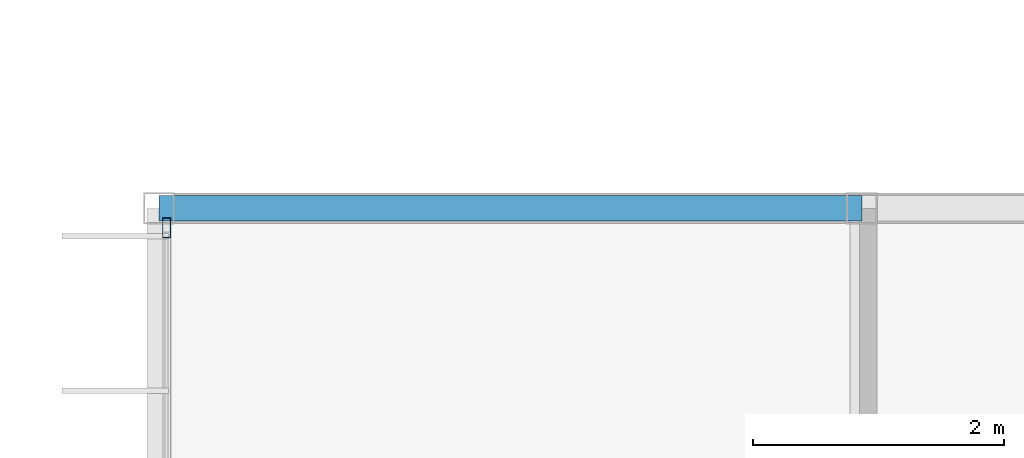
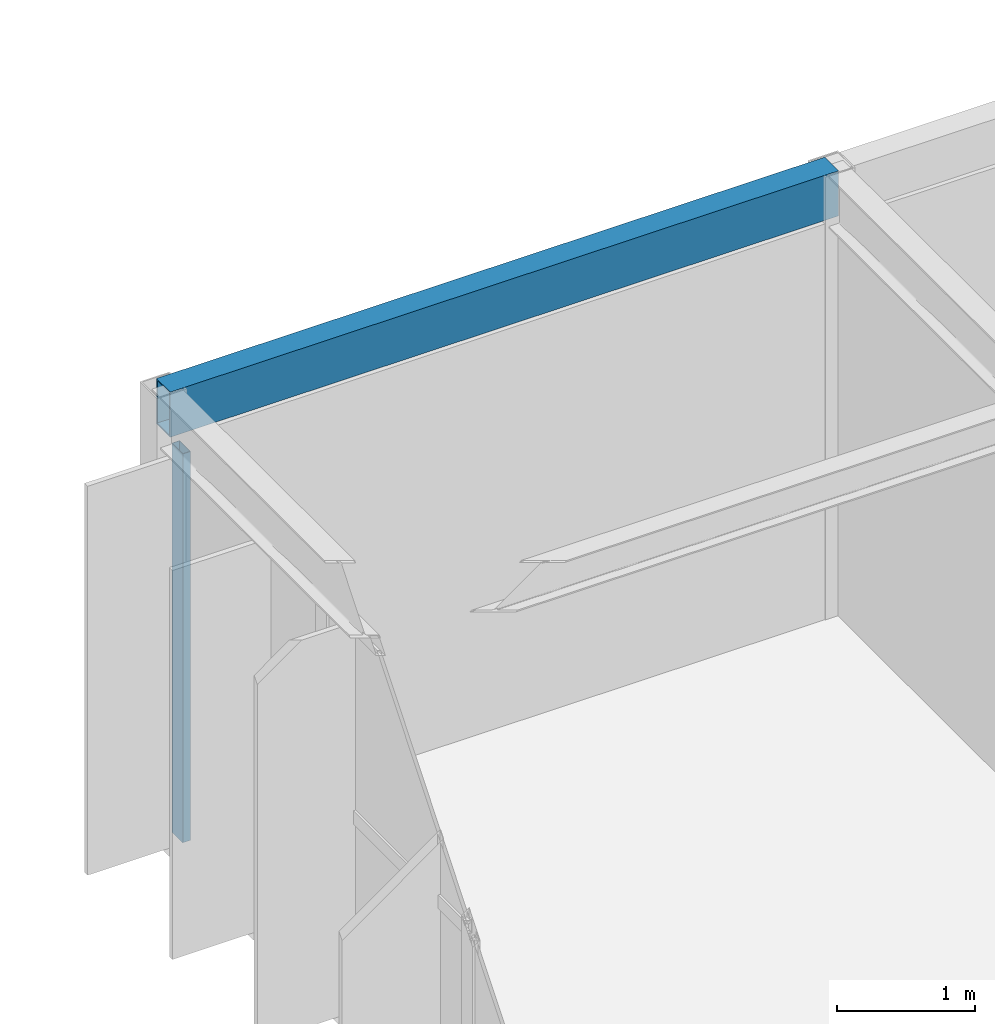
# One storey, part 80 of 157: 1 beam, 1 member, 1 element without a shape of its own.
"""IFC4 building model written with IfcOpenShell, lengths in metres."""

from ifc_helpers import new_model, si_unit, direction, frame, origin, origin_2d, place, context, subcontext, project, spatial, hollow_rectangle, extrude, material, material_profile, profile_set, type_object, element, aggregate, save


model = new_model("IFC4")

# Units and contexts
model_context = context("Model", 3, precision=1e-05, world=origin(), true_north=direction((0.0, 1.0)))
body_context = subcontext(model_context, "Body", "Model", "MODEL_VIEW")
ifc_project = project(units=[si_unit("LENGTHUNIT", "METRE"), si_unit("AREAUNIT", "SQUARE_METRE"), si_unit("VOLUMEUNIT", "CUBIC_METRE"), si_unit("PLANEANGLEUNIT", "RADIAN"), si_unit("MASSUNIT", "GRAM", prefix="KILO")], contexts=[model_context])

# Site, building, storey
site_placement = place(None, origin())
site = spatial("IfcSite", under=ifc_project, at=site_placement, CompositionType="ELEMENT")
building_placement = place(site_placement, origin())
building = spatial("IfcBuilding", under=site, at=building_placement, Name="Karori Crest Natural Sciences Institute", CompositionType="ELEMENT")
storey_placement = place(building_placement, frame((0.0, 0.0, 13.300048828125)))
storey = spatial("IfcBuildingStorey", under=building, at=storey_placement, Name="L03", CompositionType="ELEMENT", Elevation=13.300048828125)

# Beam
ifc_material_1 = material(Name="Hollow structural steel AS/NZS 1163 Grade C350", Category="steel")
ifc_material_profile_1 = material_profile(ifc_material_1, hollow_rectangle(XDim=0.199951171875, YDim=0.39990234375, WallThickness=0.012451171875, at=origin_2d()), Name="RHS400x200x12.5")
ifc_profile_set_1 = profile_set([ifc_material_profile_1], Name="Hollow structural steel AS/NZS 1163 Grade C350")
beam_type = type_object("IfcBeamType", Name="BT-14", PredefinedType="SPANDREL", material=ifc_profile_set_1)
beam_placement = place(storey_placement, frame((1.800048828125, 73.39990234375, 3.719970703125), z_axis=(1.0, 0.0, 0.0), x_axis=(0.0, 1.0, 0.0)))
element("IfcBeam", 1, at=beam_placement, inside=storey, type_object=beam_type, Name="Beam B-1158", PredefinedType="SPANDREL", context=body_context, shape_type="SweptSolid", body=[
    extrude(hollow_rectangle(XDim=0.199951171875, YDim=0.39990234375, WallThickness=0.012451171875, at=origin_2d()), origin(), (0.0, 0.0, 1.0), 5.599853515625),
])

# Curtain wall, member
ifc_material_2 = material(Name="Anodised architectural aluminium 6063-T6", Category="aluminium")
curtain_wall_type = type_object("IfcCurtainWallType", Name="CWT-17", PredefinedType="NOTDEFINED", material=ifc_material_2)
curtain_wall_placement = place(storey_placement, origin())
curtain_wall = element("IfcCurtainWall", 2, at=curtain_wall_placement, inside=storey, type_object=curtain_wall_type, Name="Curtain wall CW-0282", PredefinedType="NOTDEFINED")
ifc_material_profile_2 = material_profile(ifc_material_2, hollow_rectangle(XDim=0.06494140625, YDim=0.159912109375, WallThickness=0.00390625, at=origin_2d()), Name="CWM160x65x4")
ifc_profile_set_2 = profile_set([ifc_material_profile_2], Name="Anodised architectural aluminium 6063-T6")
member_type = type_object("IfcMemberType", Name="CWM-01", PredefinedType="MULLION", material=ifc_profile_set_2)
member_placement = place(storey_placement, frame((1.860107421875, 73.244384765625, 0.0), z_axis=(0.0, 0.0, 1.0), x_axis=(-1.0, 0.0, 0.0)))
member = element("IfcMember", 3, at=member_placement, type_object=member_type, Name="CW-0282 mullion 4", PredefinedType="MULLION", context=body_context, shape_type="SweptSolid", body=[
    extrude(hollow_rectangle(XDim=0.06494140625, YDim=0.159912109375, WallThickness=0.00390625, at=origin_2d()), origin(), (0.0, 0.0, 1.0), 3.445068359375),
])
aggregate(curtain_wall, [member])

save(model, "model.ifc")
